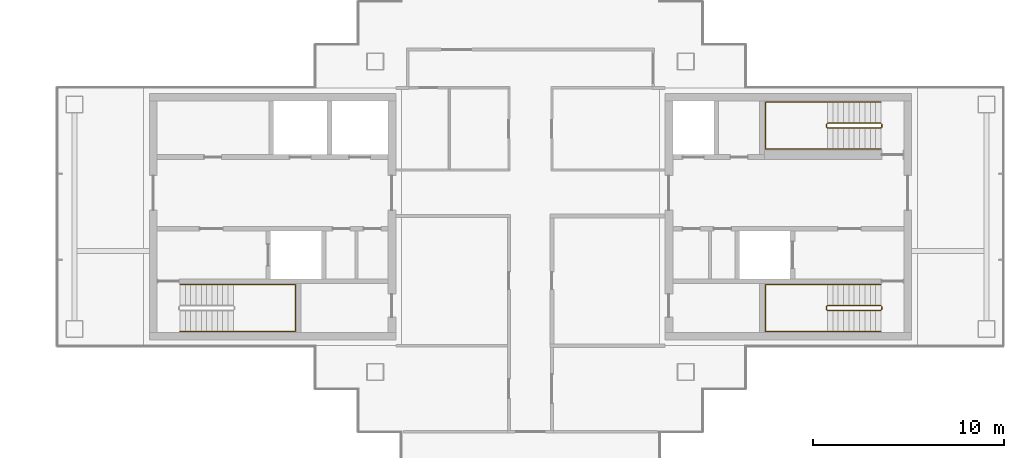
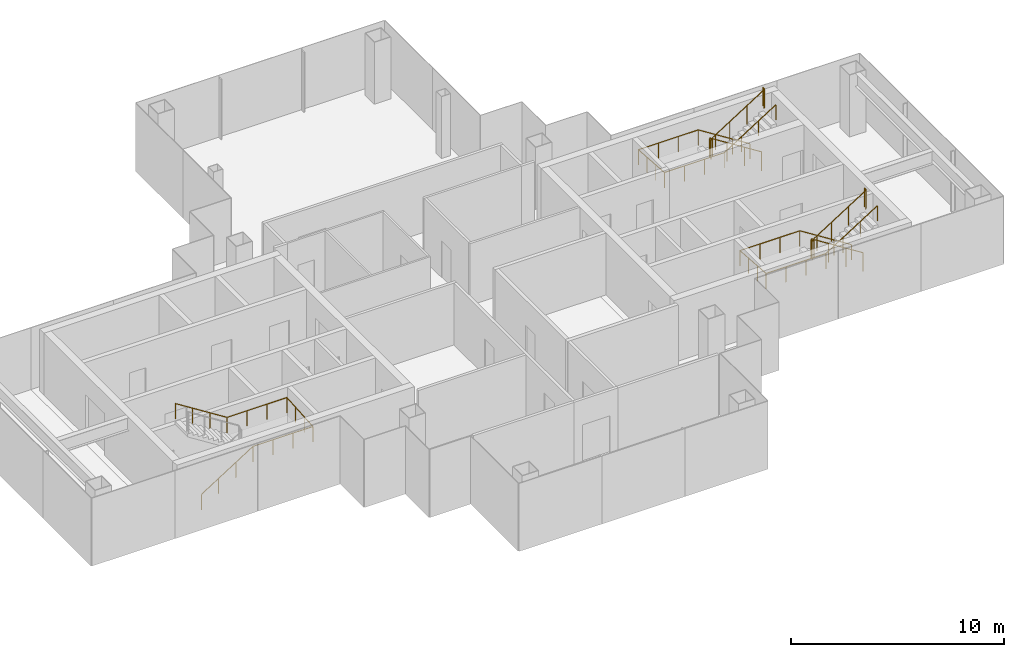
# One storey, part 15 of 16: 5 railings.
"""IFC4 building model written with IfcOpenShell, lengths in metres."""

from ifc_helpers import new_model, si_unit, direction, frame, origin, origin_2d, place, context, subcontext, project, spatial, circle, extrude, material, type_object, element, save


model = new_model("IFC4")

# Units and contexts
model_context = context("Model", 3, precision=1e-05, world=origin(), true_north=direction((0.0, 1.0)))
body_context = subcontext(model_context, "Body", "Model", "MODEL_VIEW")
ifc_project = project(units=[si_unit("LENGTHUNIT", "METRE"), si_unit("AREAUNIT", "SQUARE_METRE"), si_unit("VOLUMEUNIT", "CUBIC_METRE"), si_unit("PLANEANGLEUNIT", "RADIAN"), si_unit("MASSUNIT", "GRAM", prefix="KILO")], contexts=[model_context])

# Site, building, storey
site_placement = place(None, origin())
site = spatial("IfcSite", under=ifc_project, at=site_placement, CompositionType="ELEMENT")
building_placement = place(site_placement, origin())
building = spatial("IfcBuilding", under=site, at=building_placement, Name="Shamsa Quay Exchange Towers", CompositionType="ELEMENT")
storey_placement = place(building_placement, frame((0.0, 0.0, 265.5)))
storey = spatial("IfcBuildingStorey", under=building, at=storey_placement, Name="L64", CompositionType="ELEMENT", Elevation=265.5)

# Railings
ifc_material = material(Name="Stainless steel", Category="steel")
railing_type_1 = type_object("IfcRailingType", Name="STAIR GUARD 1100", PredefinedType="GUARDRAIL", material=ifc_material)
railing_1_placement = place(storey_placement, frame((52.10009765625, -4.64990234375, 0.17724609375)))
element("IfcRailing", 1, at=railing_1_placement, inside=storey, type_object=railing_type_1, Name="L64 ST5 stair guard 1", PredefinedType="GUARDRAIL", context=body_context, shape_type="SweptSolid", body=[
    extrude(circle(Radius=0.02392578125, at=origin_2d()), frame((0.0, 0.0, 1.076171875), z_axis=(-0.844908973607, 0.0, 0.534910110503), x_axis=(0.0, -1.0, 0.0)), (0.0, 0.0, 1.0), 3.31396484375),
    extrude(circle(Radius=0.02392578125, at=origin_2d()), frame((-2.800048828125, 0.0, 2.8486328125), z_axis=(-0.707106781187, -0.707106781187, 0.0), x_axis=(0.707106781187, -0.707106781187, 0.0)), (0.0, 0.0, 1.0), 0.07080078125),
    extrude(circle(Radius=0.02392578125, at=origin_2d()), frame((-2.85009765625, -0.050048828125, 2.8486328125), z_axis=(0.0, -1.0, 0.0), x_axis=(1.0, 0.0, 0.0)), (0.0, 0.0, 1.0), 0.150146484375),
    extrude(circle(Radius=0.02392578125, at=origin_2d()), frame((-2.85009765625, -0.2001953125, 2.8486328125), z_axis=(0.262321481514, -0.261041864531, 0.929001929653), x_axis=(0.705375805398, 0.708833529934, 0.0)), (0.0, 0.0, 1.0), 0.190673828125),
    extrude(circle(Radius=0.02392578125, at=origin_2d()), frame((-2.800048828125, -0.25, 3.02587890625), z_axis=(0.844908973607, 0.0, 0.534910110503), x_axis=(0.0, 1.0, 0.0)), (0.0, 0.0, 1.0), 3.31396484375),
    extrude(circle(Radius=0.02392578125, at=origin_2d()), frame((0.0, -0.25, 4.798828125), z_axis=(0.241699205484, 0.970351222016, 0.0), x_axis=(-0.970351222016, 0.241699205484, 0.0)), (0.0, 0.0, 1.0), 0.2060546875),
    extrude(circle(Radius=0.02392578125, at=origin_2d()), frame((0.0498046875, -0.050048828125, 4.798828125), z_axis=(0.0, -1.0, 0.0), x_axis=(1.0, 0.0, 0.0)), (0.0, 0.0, 1.0), 0.150146484375),
    extrude(circle(Radius=0.02099609375, at=origin_2d()), origin(), (0.0, 0.0, 1.0), 1.052001953125),
    extrude(circle(Radius=0.02099609375, at=origin_2d()), frame((-0.933349609375, 0.0, 0.5908203125)), (0.0, 0.0, 1.0), 1.052001953125),
    extrude(circle(Radius=0.02099609375, at=origin_2d()), frame((-1.86669921875, 0.0, 1.181884765625)), (0.0, 0.0, 1.0), 1.052001953125),
    extrude(circle(Radius=0.02099609375, at=origin_2d()), frame((-2.800048828125, 0.0, 1.772705078125)), (0.0, 0.0, 1.0), 1.052001953125),
    extrude(circle(Radius=0.02099609375, at=origin_2d()), frame((-2.85009765625, -0.050048828125, 1.772705078125)), (0.0, 0.0, 1.0), 1.052001953125),
    extrude(circle(Radius=0.02099609375, at=origin_2d()), frame((-2.85009765625, -0.2001953125, 1.772705078125)), (0.0, 0.0, 1.0), 1.052001953125),
    extrude(circle(Radius=0.02099609375, at=origin_2d()), frame((-2.800048828125, -0.25, 1.949951171875)), (0.0, 0.0, 1.0), 1.052001953125),
    extrude(circle(Radius=0.02099609375, at=origin_2d()), frame((-1.86669921875, -0.25, 2.540771484375)), (0.0, 0.0, 1.0), 1.052001953125),
    extrude(circle(Radius=0.02099609375, at=origin_2d()), frame((-0.933349609375, -0.25, 3.1318359375)), (0.0, 0.0, 1.0), 1.052001953125),
    extrude(circle(Radius=0.02099609375, at=origin_2d()), frame((0.0, -0.25, 3.72265625)), (0.0, 0.0, 1.0), 1.052001953125),
    extrude(circle(Radius=0.02099609375, at=origin_2d()), frame((0.0498046875, -0.050048828125, 3.72265625)), (0.0, 0.0, 1.0), 1.052001953125),
    extrude(circle(Radius=0.02099609375, at=origin_2d()), frame((0.0498046875, -0.2001953125, 3.72265625)), (0.0, 0.0, 1.0), 1.052001953125),
])
railing_2_placement = place(storey_placement, frame((52.10009765625, 4.89990234375, 0.17724609375)))
element("IfcRailing", 2, at=railing_2_placement, inside=storey, type_object=railing_type_1, Name="L64 ST6 stair guard 1", PredefinedType="GUARDRAIL", context=body_context, shape_type="SweptSolid", body=[
    extrude(circle(Radius=0.02392578125, at=origin_2d()), frame((0.0, 0.0, 1.076171875), z_axis=(-0.844908973607, 0.0, 0.534910110503), x_axis=(0.0, -1.0, 0.0)), (0.0, 0.0, 1.0), 3.31396484375),
    extrude(circle(Radius=0.02392578125, at=origin_2d()), frame((-2.800048828125, 0.0, 2.8486328125), z_axis=(-0.708833529934, -0.705375805398, 0.0), x_axis=(0.705375805398, -0.708833529934, 0.0)), (0.0, 0.0, 1.0), 0.070556640625),
    extrude(circle(Radius=0.02392578125, at=origin_2d()), frame((-2.85009765625, -0.0498046875, 2.8486328125), z_axis=(0.0, -1.0, 0.0), x_axis=(1.0, 0.0, 0.0)), (0.0, 0.0, 1.0), 0.150146484375),
    extrude(circle(Radius=0.02392578125, at=origin_2d()), frame((-2.85009765625, -0.199951171875, 2.8486328125), z_axis=(0.262233686654, -0.262233686654, 0.928691007369), x_axis=(0.707106781187, 0.707106781187, 0.0)), (0.0, 0.0, 1.0), 0.19091796875),
    extrude(circle(Radius=0.02392578125, at=origin_2d()), frame((-2.800048828125, -0.25, 3.02587890625), z_axis=(0.844908973607, 0.0, 0.534910110503), x_axis=(0.0, 1.0, 0.0)), (0.0, 0.0, 1.0), 3.31396484375),
    extrude(circle(Radius=0.02392578125, at=origin_2d()), frame((0.0, -0.25, 4.798828125), z_axis=(0.24142163986, 0.970420317083, 0.0), x_axis=(-0.970420317083, 0.24142163986, 0.0)), (0.0, 0.0, 1.0), 0.206298828125),
    extrude(circle(Radius=0.02392578125, at=origin_2d()), frame((0.0498046875, -0.0498046875, 4.798828125), z_axis=(0.0, -1.0, 0.0), x_axis=(1.0, 0.0, 0.0)), (0.0, 0.0, 1.0), 0.150146484375),
    extrude(circle(Radius=0.02099609375, at=origin_2d()), origin(), (0.0, 0.0, 1.0), 1.052001953125),
    extrude(circle(Radius=0.02099609375, at=origin_2d()), frame((-0.933349609375, 0.0, 0.5908203125)), (0.0, 0.0, 1.0), 1.052001953125),
    extrude(circle(Radius=0.02099609375, at=origin_2d()), frame((-1.86669921875, 0.0, 1.181884765625)), (0.0, 0.0, 1.0), 1.052001953125),
    extrude(circle(Radius=0.02099609375, at=origin_2d()), frame((-2.800048828125, 0.0, 1.772705078125)), (0.0, 0.0, 1.0), 1.052001953125),
    extrude(circle(Radius=0.02099609375, at=origin_2d()), frame((-2.85009765625, -0.0498046875, 1.772705078125)), (0.0, 0.0, 1.0), 1.052001953125),
    extrude(circle(Radius=0.02099609375, at=origin_2d()), frame((-2.85009765625, -0.199951171875, 1.772705078125)), (0.0, 0.0, 1.0), 1.052001953125),
    extrude(circle(Radius=0.02099609375, at=origin_2d()), frame((-2.800048828125, -0.25, 1.949951171875)), (0.0, 0.0, 1.0), 1.052001953125),
    extrude(circle(Radius=0.02099609375, at=origin_2d()), frame((-1.86669921875, -0.25, 2.540771484375)), (0.0, 0.0, 1.0), 1.052001953125),
    extrude(circle(Radius=0.02099609375, at=origin_2d()), frame((-0.933349609375, -0.25, 3.1318359375)), (0.0, 0.0, 1.0), 1.052001953125),
    extrude(circle(Radius=0.02099609375, at=origin_2d()), frame((0.0, -0.25, 3.72265625)), (0.0, 0.0, 1.0), 1.052001953125),
    extrude(circle(Radius=0.02099609375, at=origin_2d()), frame((0.0498046875, -0.0498046875, 3.72265625)), (0.0, 0.0, 1.0), 1.052001953125),
    extrude(circle(Radius=0.02099609375, at=origin_2d()), frame((0.0498046875, -0.199951171875, 3.72265625)), (0.0, 0.0, 1.0), 1.052001953125),
])
railing_type_2 = type_object("IfcRailingType", Name="STAIR HANDRAIL 900", PredefinedType="HANDRAIL", material=ifc_material)
railing_3_placement = place(storey_placement, frame((15.39990234375, -6.0, 0.17724609375)))
element("IfcRailing", 3, at=railing_3_placement, inside=storey, type_object=railing_type_2, Name="L64 ST4 stair handrail 1", PredefinedType="HANDRAIL", context=body_context, shape_type="SweptSolid", body=[
    extrude(circle(Radius=0.02392578125, at=origin_2d()), frame((0.0, 0.0, 0.8759765625), z_axis=(0.844908973607, 0.0, 0.534910110503), x_axis=(0.0, 1.0, 0.0)), (0.0, 0.0, 1.0), 3.31396484375),
    extrude(circle(Radius=0.02392578125, at=origin_2d()), frame((2.800048828125, 0.0, 2.6484375), z_axis=(1.0, 0.0, 0.0), x_axis=(0.0, 1.0, 0.0)), (0.0, 0.0, 1.0), 3.25),
    extrude(circle(Radius=0.02392578125, at=origin_2d()), frame((6.050048828125, 0.0, 2.6484375), z_axis=(0.0, 0.997393199914, 0.07215819264), x_axis=(-1.0, 0.0, 0.0)), (0.0, 0.0, 1.0), 2.456298828125),
    extrude(circle(Radius=0.02392578125, at=origin_2d()), frame((6.050048828125, 2.449951171875, 2.82568359375), z_axis=(-1.0, 0.0, 0.0), x_axis=(0.0, -1.0, 0.0)), (0.0, 0.0, 1.0), 3.25),
    extrude(circle(Radius=0.02392578125, at=origin_2d()), frame((2.800048828125, 2.449951171875, 2.82568359375), z_axis=(-0.844908973607, 0.0, 0.534910110503), x_axis=(0.0, -1.0, 0.0)), (0.0, 0.0, 1.0), 3.31396484375),
    extrude(circle(Radius=0.02099609375, at=origin_2d()), origin(), (0.0, 0.0, 1.0), 0.851806640625),
    extrude(circle(Radius=0.02099609375, at=origin_2d()), frame((0.933349609375, 0.0, 0.5908203125)), (0.0, 0.0, 1.0), 0.851806640625),
    extrude(circle(Radius=0.02099609375, at=origin_2d()), frame((1.86669921875, 0.0, 1.181884765625)), (0.0, 0.0, 1.0), 0.851806640625),
    extrude(circle(Radius=0.02099609375, at=origin_2d()), frame((2.800048828125, 0.0, 1.772705078125)), (0.0, 0.0, 1.0), 0.851806640625),
    extrude(circle(Radius=0.02099609375, at=origin_2d()), frame((3.88330078125, 0.0, 1.772705078125)), (0.0, 0.0, 1.0), 0.851806640625),
    extrude(circle(Radius=0.02099609375, at=origin_2d()), frame((4.966796875, 0.0, 1.772705078125)), (0.0, 0.0, 1.0), 0.851806640625),
    extrude(circle(Radius=0.02099609375, at=origin_2d()), frame((6.050048828125, 0.0, 1.772705078125)), (0.0, 0.0, 1.0), 0.851806640625),
    extrude(circle(Radius=0.02099609375, at=origin_2d()), frame((6.050048828125, 0.816650390625, 1.831787109375)), (0.0, 0.0, 1.0), 0.851806640625),
    extrude(circle(Radius=0.02099609375, at=origin_2d()), frame((6.050048828125, 1.63330078125, 1.890869140625)), (0.0, 0.0, 1.0), 0.851806640625),
    extrude(circle(Radius=0.02099609375, at=origin_2d()), frame((6.050048828125, 2.449951171875, 1.949951171875)), (0.0, 0.0, 1.0), 0.851806640625),
    extrude(circle(Radius=0.02099609375, at=origin_2d()), frame((4.966796875, 2.449951171875, 1.949951171875)), (0.0, 0.0, 1.0), 0.851806640625),
    extrude(circle(Radius=0.02099609375, at=origin_2d()), frame((3.88330078125, 2.449951171875, 1.949951171875)), (0.0, 0.0, 1.0), 0.851806640625),
    extrude(circle(Radius=0.02099609375, at=origin_2d()), frame((2.800048828125, 2.449951171875, 1.949951171875)), (0.0, 0.0, 1.0), 0.851806640625),
    extrude(circle(Radius=0.02099609375, at=origin_2d()), frame((1.86669921875, 2.449951171875, 2.540771484375)), (0.0, 0.0, 1.0), 0.851806640625),
    extrude(circle(Radius=0.02099609375, at=origin_2d()), frame((0.933349609375, 2.449951171875, 3.1318359375)), (0.0, 0.0, 1.0), 0.851806640625),
    extrude(circle(Radius=0.02099609375, at=origin_2d()), frame((0.0, 2.449951171875, 3.72265625)), (0.0, 0.0, 1.0), 0.851806640625),
])
railing_4_placement = place(storey_placement, frame((52.10009765625, -3.550048828125, 0.17724609375)))
element("IfcRailing", 4, at=railing_4_placement, inside=storey, type_object=railing_type_2, Name="L64 ST5 stair handrail 1", PredefinedType="HANDRAIL", context=body_context, shape_type="SweptSolid", body=[
    extrude(circle(Radius=0.02392578125, at=origin_2d()), frame((0.0, 0.0, 0.8759765625), z_axis=(-0.844908973607, 0.0, 0.534910110503), x_axis=(0.0, -1.0, 0.0)), (0.0, 0.0, 1.0), 3.31396484375),
    extrude(circle(Radius=0.02392578125, at=origin_2d()), frame((-2.800048828125, 0.0, 2.6484375), z_axis=(-1.0, 0.0, 0.0), x_axis=(0.0, -1.0, 0.0)), (0.0, 0.0, 1.0), 3.25),
    extrude(circle(Radius=0.02392578125, at=origin_2d()), frame((-6.050048828125, 0.0, 2.6484375), z_axis=(0.0, -0.997393199914, 0.07215819264), x_axis=(1.0, 0.0, 0.0)), (0.0, 0.0, 1.0), 2.456298828125),
    extrude(circle(Radius=0.02392578125, at=origin_2d()), frame((-6.050048828125, -2.449951171875, 2.82568359375), z_axis=(1.0, 0.0, 0.0), x_axis=(0.0, 1.0, 0.0)), (0.0, 0.0, 1.0), 3.25),
    extrude(circle(Radius=0.02392578125, at=origin_2d()), frame((-2.800048828125, -2.449951171875, 2.82568359375), z_axis=(0.844908973607, 0.0, 0.534910110503), x_axis=(0.0, 1.0, 0.0)), (0.0, 0.0, 1.0), 3.31396484375),
    extrude(circle(Radius=0.02099609375, at=origin_2d()), origin(), (0.0, 0.0, 1.0), 0.851806640625),
    extrude(circle(Radius=0.02099609375, at=origin_2d()), frame((-0.933349609375, 0.0, 0.5908203125)), (0.0, 0.0, 1.0), 0.851806640625),
    extrude(circle(Radius=0.02099609375, at=origin_2d()), frame((-1.86669921875, 0.0, 1.181884765625)), (0.0, 0.0, 1.0), 0.851806640625),
    extrude(circle(Radius=0.02099609375, at=origin_2d()), frame((-2.800048828125, 0.0, 1.772705078125)), (0.0, 0.0, 1.0), 0.851806640625),
    extrude(circle(Radius=0.02099609375, at=origin_2d()), frame((-3.88330078125, 0.0, 1.772705078125)), (0.0, 0.0, 1.0), 0.851806640625),
    extrude(circle(Radius=0.02099609375, at=origin_2d()), frame((-4.966796875, 0.0, 1.772705078125)), (0.0, 0.0, 1.0), 0.851806640625),
    extrude(circle(Radius=0.02099609375, at=origin_2d()), frame((-6.050048828125, 0.0, 1.772705078125)), (0.0, 0.0, 1.0), 0.851806640625),
    extrude(circle(Radius=0.02099609375, at=origin_2d()), frame((-6.050048828125, -0.816650390625, 1.831787109375)), (0.0, 0.0, 1.0), 0.851806640625),
    extrude(circle(Radius=0.02099609375, at=origin_2d()), frame((-6.050048828125, -1.63330078125, 1.890869140625)), (0.0, 0.0, 1.0), 0.851806640625),
    extrude(circle(Radius=0.02099609375, at=origin_2d()), frame((-6.050048828125, -2.449951171875, 1.949951171875)), (0.0, 0.0, 1.0), 0.851806640625),
    extrude(circle(Radius=0.02099609375, at=origin_2d()), frame((-4.966796875, -2.449951171875, 1.949951171875)), (0.0, 0.0, 1.0), 0.851806640625),
    extrude(circle(Radius=0.02099609375, at=origin_2d()), frame((-3.88330078125, -2.449951171875, 1.949951171875)), (0.0, 0.0, 1.0), 0.851806640625),
    extrude(circle(Radius=0.02099609375, at=origin_2d()), frame((-2.800048828125, -2.449951171875, 1.949951171875)), (0.0, 0.0, 1.0), 0.851806640625),
    extrude(circle(Radius=0.02099609375, at=origin_2d()), frame((-1.86669921875, -2.449951171875, 2.540771484375)), (0.0, 0.0, 1.0), 0.851806640625),
    extrude(circle(Radius=0.02099609375, at=origin_2d()), frame((-0.933349609375, -2.449951171875, 3.1318359375)), (0.0, 0.0, 1.0), 0.851806640625),
    extrude(circle(Radius=0.02099609375, at=origin_2d()), frame((0.0, -2.449951171875, 3.72265625)), (0.0, 0.0, 1.0), 0.851806640625),
])
railing_5_placement = place(storey_placement, frame((52.10009765625, 6.0, 0.17724609375)))
element("IfcRailing", 5, at=railing_5_placement, inside=storey, type_object=railing_type_2, Name="L64 ST6 stair handrail 1", PredefinedType="HANDRAIL", context=body_context, shape_type="SweptSolid", body=[
    extrude(circle(Radius=0.02392578125, at=origin_2d()), frame((0.0, 0.0, 0.8759765625), z_axis=(-0.844908973607, 0.0, 0.534910110503), x_axis=(0.0, -1.0, 0.0)), (0.0, 0.0, 1.0), 3.31396484375),
    extrude(circle(Radius=0.02392578125, at=origin_2d()), frame((-2.800048828125, 0.0, 2.6484375), z_axis=(-1.0, 0.0, 0.0), x_axis=(0.0, -1.0, 0.0)), (0.0, 0.0, 1.0), 3.25),
    extrude(circle(Radius=0.02392578125, at=origin_2d()), frame((-6.050048828125, 0.0, 2.6484375), z_axis=(0.0, -0.997393199914, 0.07215819264), x_axis=(1.0, 0.0, 0.0)), (0.0, 0.0, 1.0), 2.456298828125),
    extrude(circle(Radius=0.02392578125, at=origin_2d()), frame((-6.050048828125, -2.449951171875, 2.82568359375), z_axis=(1.0, 0.0, 0.0), x_axis=(0.0, 1.0, 0.0)), (0.0, 0.0, 1.0), 3.25),
    extrude(circle(Radius=0.02392578125, at=origin_2d()), frame((-2.800048828125, -2.449951171875, 2.82568359375), z_axis=(0.844908973607, 0.0, 0.534910110503), x_axis=(0.0, 1.0, 0.0)), (0.0, 0.0, 1.0), 3.31396484375),
    extrude(circle(Radius=0.02099609375, at=origin_2d()), origin(), (0.0, 0.0, 1.0), 0.851806640625),
    extrude(circle(Radius=0.02099609375, at=origin_2d()), frame((-0.933349609375, 0.0, 0.5908203125)), (0.0, 0.0, 1.0), 0.851806640625),
    extrude(circle(Radius=0.02099609375, at=origin_2d()), frame((-1.86669921875, 0.0, 1.181884765625)), (0.0, 0.0, 1.0), 0.851806640625),
    extrude(circle(Radius=0.02099609375, at=origin_2d()), frame((-2.800048828125, 0.0, 1.772705078125)), (0.0, 0.0, 1.0), 0.851806640625),
    extrude(circle(Radius=0.02099609375, at=origin_2d()), frame((-3.88330078125, 0.0, 1.772705078125)), (0.0, 0.0, 1.0), 0.851806640625),
    extrude(circle(Radius=0.02099609375, at=origin_2d()), frame((-4.966796875, 0.0, 1.772705078125)), (0.0, 0.0, 1.0), 0.851806640625),
    extrude(circle(Radius=0.02099609375, at=origin_2d()), frame((-6.050048828125, 0.0, 1.772705078125)), (0.0, 0.0, 1.0), 0.851806640625),
    extrude(circle(Radius=0.02099609375, at=origin_2d()), frame((-6.050048828125, -0.816650390625, 1.831787109375)), (0.0, 0.0, 1.0), 0.851806640625),
    extrude(circle(Radius=0.02099609375, at=origin_2d()), frame((-6.050048828125, -1.63330078125, 1.890869140625)), (0.0, 0.0, 1.0), 0.851806640625),
    extrude(circle(Radius=0.02099609375, at=origin_2d()), frame((-6.050048828125, -2.449951171875, 1.949951171875)), (0.0, 0.0, 1.0), 0.851806640625),
    extrude(circle(Radius=0.02099609375, at=origin_2d()), frame((-4.966796875, -2.449951171875, 1.949951171875)), (0.0, 0.0, 1.0), 0.851806640625),
    extrude(circle(Radius=0.02099609375, at=origin_2d()), frame((-3.88330078125, -2.449951171875, 1.949951171875)), (0.0, 0.0, 1.0), 0.851806640625),
    extrude(circle(Radius=0.02099609375, at=origin_2d()), frame((-2.800048828125, -2.449951171875, 1.949951171875)), (0.0, 0.0, 1.0), 0.851806640625),
    extrude(circle(Radius=0.02099609375, at=origin_2d()), frame((-1.86669921875, -2.449951171875, 2.540771484375)), (0.0, 0.0, 1.0), 0.851806640625),
    extrude(circle(Radius=0.02099609375, at=origin_2d()), frame((-0.933349609375, -2.449951171875, 3.1318359375)), (0.0, 0.0, 1.0), 0.851806640625),
    extrude(circle(Radius=0.02099609375, at=origin_2d()), frame((0.0, -2.449951171875, 3.72265625)), (0.0, 0.0, 1.0), 0.851806640625),
])

save(model, "model.ifc")
